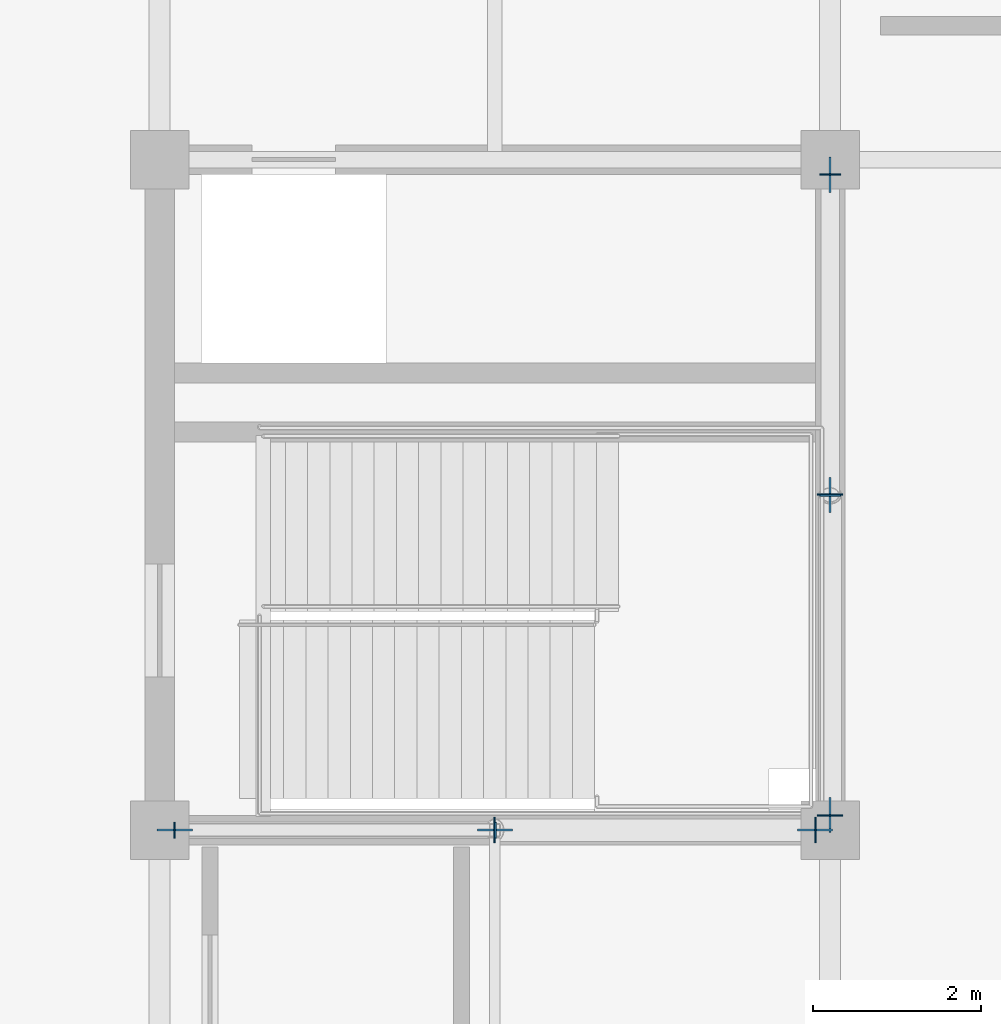
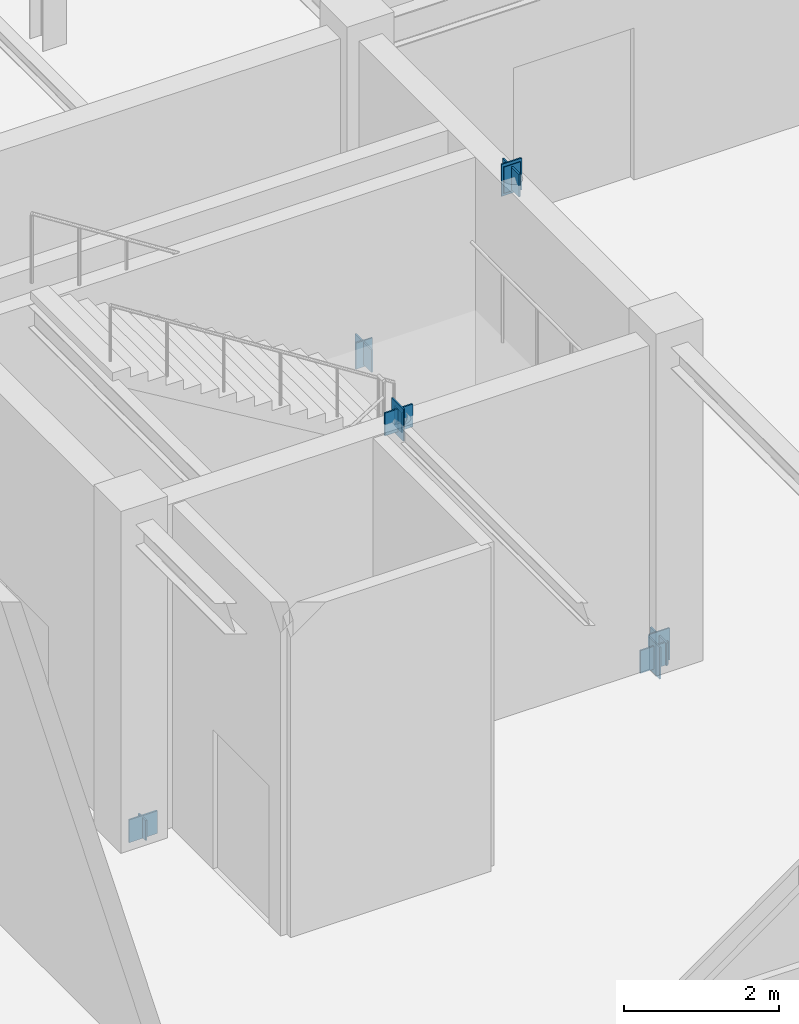
# One storey, part 81 of 108: 14 plates.
"""IFC4 building model written with IfcOpenShell, lengths in metres."""

from ifc_helpers import new_model, si_unit, direction, frame, origin, origin_2d, place, context, subcontext, project, spatial, rectangle, extrude, material, layer, layer_set, type_object, element, save


model = new_model("IFC4")

# Units and contexts
model_context = context("Model", 3, precision=1e-05, world=origin(), true_north=direction((0.0, 1.0)))
body_context = subcontext(model_context, "Body", "Model", "MODEL_VIEW")
ifc_project = project(units=[si_unit("LENGTHUNIT", "METRE"), si_unit("AREAUNIT", "SQUARE_METRE"), si_unit("VOLUMEUNIT", "CUBIC_METRE"), si_unit("PLANEANGLEUNIT", "RADIAN"), si_unit("MASSUNIT", "GRAM", prefix="KILO")], contexts=[model_context])

# Site, building, storey
site_placement = place(None, origin())
site = spatial("IfcSite", under=ifc_project, at=site_placement, CompositionType="ELEMENT")
building_placement = place(site_placement, origin())
building = spatial("IfcBuilding", under=site, at=building_placement, Name="Zhaolan Boulevard Law Courts", CompositionType="ELEMENT")
storey_placement = place(building_placement, frame((0.0, 0.0, 10.800048828125)))
storey = spatial("IfcBuildingStorey", under=building, at=storey_placement, Name="L02", CompositionType="ELEMENT", Elevation=10.800048828125)

# Plates
ifc_material_1 = material(Name="Structural steel Q355B", Category="steel")
ifc_layer_1 = layer(ifc_material_1, 0.02392578125)
ifc_layer_set_1 = layer_set([ifc_layer_1])
plate_type_1 = type_object("IfcPlateType", Name="BRACE GUSSET PLATE 24", PredefinedType="SHEET", material=ifc_layer_set_1)
for number, where, z_axis, x_axis, name in (
    (1, (84.179931640625, 70.0, -0.14990234375), (0.0, 0.0, 1.0), (1.0, 0.0, 0.0), "Brace Gusset Connection Plate GP-T1-L02-SA1"),
    (2, (91.820068359375, 70.0, -0.14990234375), (0.0, 0.0, 1.0), (1.0, 0.0, 0.0), "Brace Gusset Connection Plate GP-T1-L02-SA2"),
    (3, (88.0, 70.0, 4.93994140625), (0.0, 0.0, 1.0), (1.0, 0.0, 0.0), "Brace Gusset Connection Plate GP-T1-L02-SAPX"),
    (4, (92.0, 70.179931640625, -0.14990234375), (0.0, 0.0, 1.0), (0.0, 1.0, 0.0), "Brace Gusset Connection Plate GP-T1-L02-EA1"),
    (5, (92.0, 77.820068359375, -0.14990234375), (0.0, 0.0, 1.0), (0.0, 1.0, 0.0), "Brace Gusset Connection Plate GP-T1-L02-EA2"),
    (6, (92.0, 74.0, 4.93994140625), (0.0, 0.0, 1.0), (0.0, 1.0, 0.0), "Brace Gusset Connection Plate GP-T1-L02-EAPX"),
):
    element("IfcPlate", number, at=place(storey_placement, frame(where, z_axis=z_axis, x_axis=x_axis)), inside=storey, type_object=plate_type_1, Name=name, PredefinedType="SHEET", context=body_context, shape_type="SweptSolid", body=[
        extrude(rectangle(XDim=0.419921875, YDim=0.02392578125, at=origin_2d()), origin(), (0.0, 0.0, 1.0), 0.360107421875),
    ])
ifc_material_2 = material(Name="Structural steel Q355B", Category="steel")
ifc_layer_2 = layer(ifc_material_2, 0.02001953125)
ifc_layer_set_2 = layer_set([ifc_layer_2])
plate_type_2 = type_object("IfcPlateType", Name="END CAP PLATE 20", PredefinedType="SHEET", material=ifc_layer_set_2)
for number, where, z_axis, x_axis, name in (
    (7, (84.17529296875, 70.0, -0.135009765625), (0.0, 0.0, 1.0), (1.0, 0.0, 0.0), "Hollow Section End-Cap Plate ECP-1295"),
    (8, (88.0048828125, 70.0, 4.968017578125), (0.0, 0.0, 1.0), (1.0, 0.0, 0.0), "Hollow Section End-Cap Plate ECP-1296"),
):
    element("IfcPlate", number, at=place(storey_placement, frame(where, z_axis=z_axis, x_axis=x_axis)), inside=storey, type_object=plate_type_2, Name=name, PredefinedType="SHEET", context=body_context, shape_type="SweptSolid", body=[
        extrude(rectangle(XDim=0.02001953125, YDim=0.18994140625, at=origin_2d()), origin(), (0.0, 0.0, 1.0), 0.31689453125),
    ])
for number, where, z_axis, x_axis, name in (
    (9, (91.82470703125, 70.0, -0.22900390625), (0.0, 0.0, 1.0), (-1.0, 0.0, 0.0), "Hollow Section End-Cap Plate ECP-1297"),
    (10, (87.9951171875, 70.0, 4.8740234375), (0.0, 0.0, 1.0), (-1.0, 0.0, 0.0), "Hollow Section End-Cap Plate ECP-1298"),
    (11, (92.0, 70.17529296875, -0.22900390625), (0.0, 0.0, 1.0), (0.0, 1.0, 0.0), "Hollow Section End-Cap Plate ECP-1299"),
    (12, (92.0, 74.0048828125, 4.8740234375), (0.0, 0.0, 1.0), (0.0, 1.0, 0.0), "Hollow Section End-Cap Plate ECP-1300"),
):
    element("IfcPlate", number, at=place(storey_placement, frame(where, z_axis=z_axis, x_axis=x_axis)), inside=storey, type_object=plate_type_2, Name=name, PredefinedType="SHEET", context=body_context, shape_type="SweptSolid", body=[
        extrude(rectangle(XDim=0.02001953125, YDim=0.302978515625, at=origin_2d()), origin(), (0.0, 0.0, 1.0), 0.5048828125),
    ])
for number, where, z_axis, x_axis, name in (
    (13, (92.0, 77.82470703125, -0.18408203125), (0.0, 0.0, 1.0), (0.0, -1.0, 0.0), "Hollow Section End-Cap Plate ECP-1301"),
    (14, (92.0, 73.9951171875, 4.9189453125), (0.0, 0.0, 1.0), (0.0, -1.0, 0.0), "Hollow Section End-Cap Plate ECP-1302"),
):
    element("IfcPlate", number, at=place(storey_placement, frame(where, z_axis=z_axis, x_axis=x_axis)), inside=storey, type_object=plate_type_2, Name=name, PredefinedType="SHEET", context=body_context, shape_type="SweptSolid", body=[
        extrude(rectangle(XDim=0.02001953125, YDim=0.2490234375, at=origin_2d()), origin(), (0.0, 0.0, 1.0), 0.4150390625),
    ])

save(model, "model.ifc")
